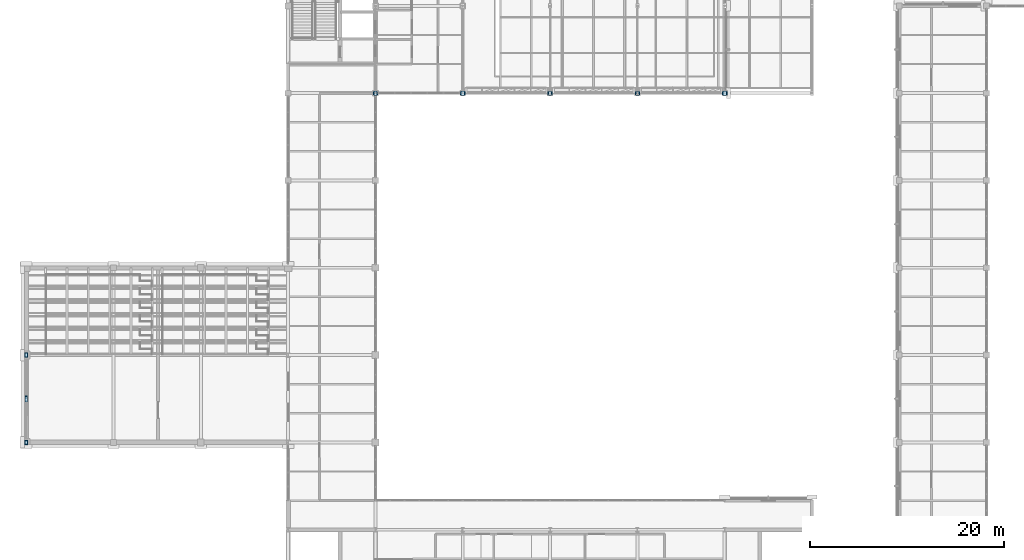
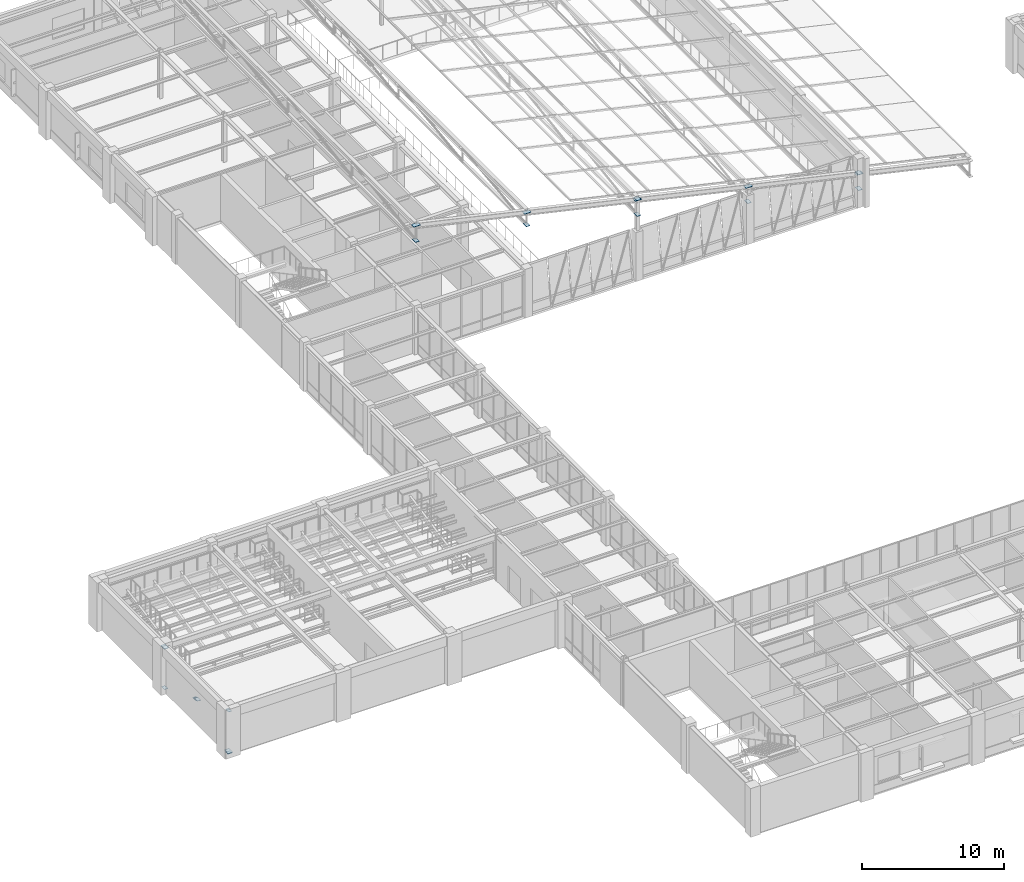
# One storey, part 109 of 130: 20 plates.
"""IFC4 building model written with IfcOpenShell, lengths in metres."""

from ifc_helpers import new_model, si_unit, direction, frame, origin, origin_2d, place, context, subcontext, project, spatial, rectangle, extrude, material, layer, layer_set, type_object, element, save


model = new_model("IFC4")

# Units and contexts
model_context = context("Model", 3, precision=1e-05, world=origin(), true_north=direction((0.0, 1.0)))
body_context = subcontext(model_context, "Body", "Model", "MODEL_VIEW")
ifc_project = project(units=[si_unit("LENGTHUNIT", "METRE"), si_unit("AREAUNIT", "SQUARE_METRE"), si_unit("VOLUMEUNIT", "CUBIC_METRE"), si_unit("PLANEANGLEUNIT", "RADIAN"), si_unit("MASSUNIT", "GRAM", prefix="KILO")], contexts=[model_context])

# Site, building, storey
site_placement = place(None, origin())
site = spatial("IfcSite", under=ifc_project, at=site_placement, CompositionType="ELEMENT")
building_placement = place(site_placement, origin())
building = spatial("IfcBuilding", under=site, at=building_placement, Name="Lykobir Media Centre", CompositionType="ELEMENT")
storey_placement = place(building_placement, frame((0.0, 0.0, 19.199951171875)))
storey = spatial("IfcBuildingStorey", under=building, at=storey_placement, Name="L04", CompositionType="ELEMENT", Elevation=19.199951171875)

# Plates
ifc_material = material(Name="Steel S355", Category="steel")
ifc_layer_1 = layer(ifc_material, 0.01611328125, Name="Steel S355")
ifc_layer_set_1 = layer_set([ifc_layer_1], Name="Steel S355")
plate_type_1 = type_object("IfcPlateType", Name="CP-280", PredefinedType="SHEET", material=ifc_layer_set_1)
plate_placement = place(storey_placement, frame((0.0, 27.0, 0.001953125), z_axis=(0.0, 0.0, 1.0), x_axis=(0.0, 1.0, 0.0)))
element("IfcPlate", 1, at=plate_placement, inside=storey, type_object=plate_type_1, Name="Structural plate PLT-L04-0000-0270-0192", PredefinedType="SHEET", context=body_context, shape_type="SweptSolid", body=[
    extrude(rectangle(XDim=0.300048828125, YDim=0.300048828125, at=origin_2d()), origin(), (0.0, 0.0, 1.0), 0.01611328125),
])
ifc_layer_2 = layer(ifc_material, 0.02001953125, Name="Steel S355")
ifc_layer_set_2 = layer_set([ifc_layer_2], Name="Steel S355")
plate_type_2 = type_object("IfcPlateType", Name="GP-420", PredefinedType="USERDEFINED", material=ifc_layer_set_2)
for number, where, z_axis, x_axis, name in (
    (2, (0.0, 31.5, 1.8701171875), (0.0, 0.0, 1.0), (0.0, 1.0, 0.0), "Structural plate PLT-L04-0000-0315-0211"),
    (3, (0.0, 36.0, 0.110107421875), (0.0, 0.0, 1.0), (0.0, 1.0, 0.0), "Structural plate PLT-L04-0000-0360-0193"),
    (4, (0.0, 31.64892578125, 1.811767578125), (0.0, 0.0, 1.0), (0.0, 1.0, 0.0), "Structural plate PLT-L04-0000-0316-0210"),
    (5, (0.0, 31.35107421875, 1.92822265625), (0.0, 0.0, 1.0), (0.0, 1.0, 0.0), "Structural plate PLT-L04-0000-0314-0211"),
    (6, (0.0, 27.0, 3.630126953125), (0.0, 0.0, 1.0), (0.0, 1.0, 0.0), "Structural plate PLT-L04-0000-0270-0228"),
):
    element("IfcPlate", number, at=place(storey_placement, frame(where, z_axis=z_axis, x_axis=x_axis)), inside=storey, type_object=plate_type_2, Name=name, ObjectType="GUSSET_PLATE", PredefinedType="USERDEFINED", context=body_context, shape_type="SweptSolid", body=[
        extrude(rectangle(XDim=0.419921875, YDim=0.280029296875, at=origin_2d()), origin(), (0.0, 0.0, 1.0), 0.02001953125),
    ])
ifc_layer_3 = layer(ifc_material, 0.02392578125, Name="Steel S355")
ifc_layer_set_3 = layer_set([ifc_layer_3], Name="Steel S355")
plate_type_3 = type_object("IfcPlateType", Name="GP-480", PredefinedType="USERDEFINED", material=ifc_layer_set_3)
for number, where, z_axis, x_axis, name in (
    (7, (36.0, 63.0, 9.578125), (0.0, 0.0, 1.0), (0.0, 1.0, 0.0), "Structural plate PLT-L04-0360-0630-0288"),
    (8, (45.0, 63.0, 7.76806640625), (0.0, 0.0, 1.0), (0.0, 1.0, 0.0), "Structural plate PLT-L04-0450-0630-0270"),
    (9, (54.0, 63.0, 5.498046875), (0.0, 0.0, 1.0), (0.0, 1.0, 0.0), "Structural plate PLT-L04-0540-0630-0247"),
    (10, (54.0, 63.0, 6.84814453125), (0.0, 0.0, 1.0), (0.0, 1.0, 0.0), "Structural plate PLT-L04-0540-0630-0261"),
    (11, (63.0, 63.0, 3.4580078125), (0.0, 0.0, 1.0), (0.0, 1.0, 0.0), "Structural plate PLT-L04-0630-0630-0227"),
    (12, (72.0, 63.0, 1.41796875), (0.0, 0.0, 1.0), (0.0, 1.0, 0.0), "Structural plate PLT-L04-0720-0630-0206"),
    (13, (72.0, 63.0, 2.76806640625), (0.0, 0.0, 1.0), (0.0, 1.0, 0.0), "Structural plate PLT-L04-0720-0630-0220"),
):
    element("IfcPlate", number, at=place(storey_placement, frame(where, z_axis=z_axis, x_axis=x_axis)), inside=storey, type_object=plate_type_3, Name=name, ObjectType="GUSSET_PLATE", PredefinedType="USERDEFINED", context=body_context, shape_type="SweptSolid", body=[
        extrude(rectangle(XDim=0.47998046875, YDim=0.320068359375, at=origin_2d()), origin(), (0.0, 0.0, 1.0), 0.02392578125),
    ])
ifc_layer_4 = layer(ifc_material, 0.028076171875, Name="Steel S355")
ifc_layer_set_4 = layer_set([ifc_layer_4], Name="Steel S355")
plate_type_4 = type_object("IfcPlateType", Name="GP-540", PredefinedType="USERDEFINED", material=ifc_layer_set_4)
for number, where, z_axis, x_axis, name in (
    (14, (36.0, 63.0, 10.88623046875), (0.0, 0.0, 1.0), (1.0, 0.0, 0.0), "Structural plate PLT-L04-0360-0630-0301"),
    (15, (45.0, 63.0, 8.84619140625), (0.0, 0.0, 1.0), (1.0, 0.0, 0.0), "Structural plate PLT-L04-0450-0630-0281"),
    (16, (54.0, 63.0, 6.80615234375), (0.0, 0.0, 1.0), (1.0, 0.0, 0.0), "Structural plate PLT-L04-0540-0630-0260"),
    (17, (63.0, 63.0, 4.76611328125), (0.0, 0.0, 1.0), (1.0, 0.0, 0.0), "Structural plate PLT-L04-0630-0630-0240"),
    (18, (72.0, 63.0, 2.72607421875), (0.0, 0.0, 1.0), (1.0, 0.0, 0.0), "Structural plate PLT-L04-0720-0630-0219"),
    (19, (0.0, 27.0, 0.10595703125), (0.0, 0.0, 1.0), (0.0, 1.0, 0.0), "Structural plate PLT-L04-0000-0270-0193"),
    (20, (0.0, 36.0, 3.6259765625), (0.0, 0.0, 1.0), (0.0, 1.0, 0.0), "Structural plate PLT-L04-0000-0360-0228"),
):
    element("IfcPlate", number, at=place(storey_placement, frame(where, z_axis=z_axis, x_axis=x_axis)), inside=storey, type_object=plate_type_4, Name=name, ObjectType="GUSSET_PLATE", PredefinedType="USERDEFINED", context=body_context, shape_type="SweptSolid", body=[
        extrude(rectangle(XDim=0.5400390625, YDim=0.360107421875, at=origin_2d()), origin(), (0.0, 0.0, 1.0), 0.028076171875),
    ])

save(model, "model.ifc")
